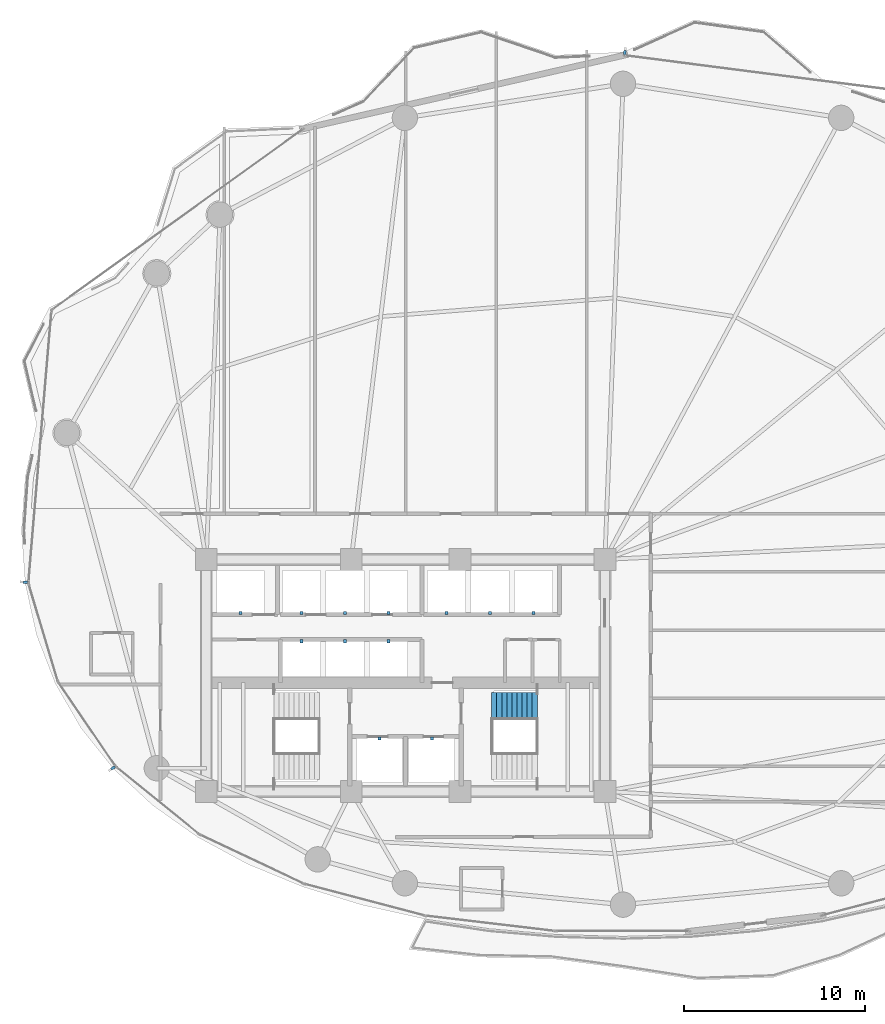
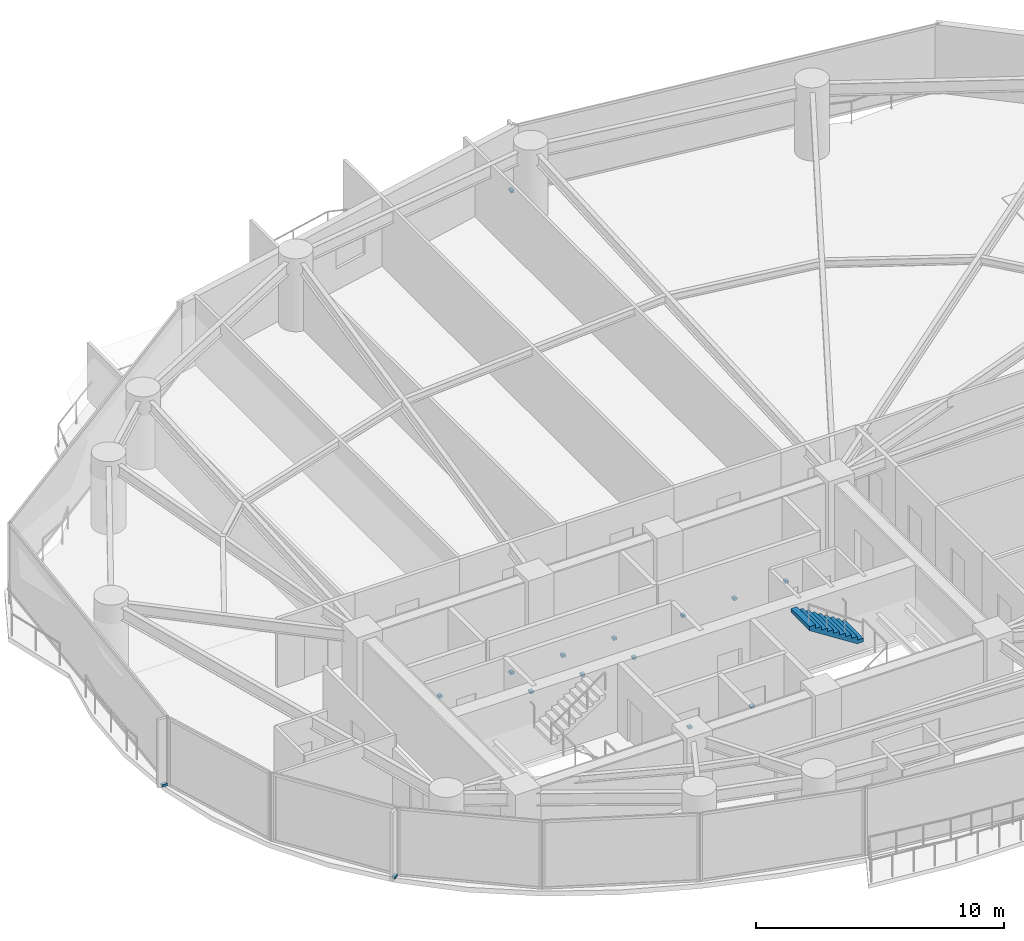
# One storey, part 27 of 30: 15 discrete accessories, 1 stair flight, 1 element without a shape of its own.
"""IFC4 building model written with IfcOpenShell, lengths in metres."""

from ifc_helpers import new_model, si_unit, direction, frame, origin, origin_2d, place, context, subcontext, project, spatial, polyline, rectangle, outline, extrude, material, layer, layer_set, type_object, element, aggregate, save


model = new_model("IFC4")

# Units and contexts
model_context = context("Model", 3, precision=1e-05, world=origin(), true_north=direction((0.0, 1.0)))
body_context = subcontext(model_context, "Body", "Model", "MODEL_VIEW")
ifc_project = project(units=[si_unit("LENGTHUNIT", "METRE"), si_unit("AREAUNIT", "SQUARE_METRE"), si_unit("VOLUMEUNIT", "CUBIC_METRE"), si_unit("PLANEANGLEUNIT", "RADIAN"), si_unit("MASSUNIT", "GRAM", prefix="KILO")], contexts=[model_context])

# Site, building, storey
site_placement = place(None, origin())
site = spatial("IfcSite", under=ifc_project, at=site_placement, CompositionType="ELEMENT")
building_placement = place(site_placement, origin())
building = spatial("IfcBuilding", under=site, at=building_placement, Name="Kazevale Care Tower and Concert Hall", CompositionType="ELEMENT")
storey_placement = place(building_placement, frame((0.0, 0.0, 70.800048828125)))
storey = spatial("IfcBuildingStorey", under=building, at=storey_placement, Name="L18", CompositionType="ELEMENT", Elevation=70.800048828125)

# Stair, stair flight
ifc_material_1 = material(Name="Concrete C40", Category="concrete")
stair_type = type_object("IfcStairType", Name="Exit Stair Assembly ST1-Z1", PredefinedType="HALF_TURN_STAIR", material=ifc_material_1)
stair_placement = place(storey_placement, origin())
stair = element("IfcStair", 1, at=stair_placement, inside=storey, type_object=stair_type, Name="stair:L18:ST2", PredefinedType="HALF_TURN_STAIR")
ifc_layer = layer(ifc_material_1, 0.159912109375)
ifc_layer_set = layer_set([ifc_layer], Name="Concrete C40")
stair_flight_type = type_object("IfcStairFlightType", Name="Exit Stair Flight ST1-Z1", PredefinedType="STRAIGHT", material=ifc_layer_set)
stair_flight_placement = place(storey_placement, frame((40.27001953125, 28.31005859375, 1.800048828125), z_axis=(0.0, 0.0, 1.0), x_axis=(-1.0, 0.0, 0.0)))
stair_flight = element("IfcStairFlight", 2, at=stair_flight_placement, type_object=stair_flight_type, Name="ST1-Z1 flight 2", NumberOfRisers=10, NumberOfTreads=9, PredefinedType="STRAIGHT", RiserHeight=0.18, TreadLength=0.28, context=body_context, shape_type="SweptSolid", body=[
    extrude(outline(polyline([(0.0, 0.0), (0.0, 0.179931640625), (0.280029296875, 0.179931640625), (0.280029296875, 0.360107421875), (0.56005859375, 0.360107421875), (0.56005859375, 0.5400390625), (0.840087890625, 0.5400390625), (0.840087890625, 0.719970703125), (1.1201171875, 0.719970703125), (1.1201171875, 0.89990234375), (1.39990234375, 0.89990234375), (1.39990234375, 1.080078125), (1.679931640625, 1.080078125), (1.679931640625, 1.260009765625), (1.9599609375, 1.260009765625), (1.9599609375, 1.43994140625), (2.239990234375, 1.43994140625), (2.239990234375, 1.6201171875), (2.52001953125, 1.6201171875), (2.52001953125, 1.800048828125), (2.52001953125, 1.429931640625), (0.295654296875, 0.0), (0.0, 0.0)])), frame((0.0, 0.739990234375, 0.0), z_axis=(0.0, -1.0, 0.0), x_axis=(1.0, 0.0, 0.0)), (0.0, 0.0, 1.0), 1.47998046875),
])
aggregate(stair, [stair_flight])

# Discrete accessories
ifc_material_2 = material(Name="Stainless Steel 316", Category="steel")
discrete_accessory_type_1 = type_object("IfcDiscreteAccessoryType", Name="Facade Fin Stainless Anchor Bracket BRK-1", PredefinedType="BRACKET", material=ifc_material_2)
for number, where, z_axis, x_axis, name in (
    (3, (16.85791015625, 24.894287109375, 0.0), (0.0, 0.0, 1.0), (-0.825999928064, -0.563670221706, 0.0), "cw:L18:f11:brk"),
    (4, (12.02099609375, 35.145263671875, 0.0), (0.0, 0.0, 1.0), (-0.99643419826, 0.084373506139, 0.0), "cw:L18:f13:brk"),
    (5, (45.09912109375, 64.370849609375, 0.0), (0.0, 0.0, 1.0), (0.127930151302, 0.99178318013, 0.0), "cw:L18:f16:brk"),
):
    element("IfcDiscreteAccessory", number, at=place(storey_placement, frame(where, z_axis=z_axis, x_axis=x_axis)), inside=storey, type_object=discrete_accessory_type_1, Name=name, PredefinedType="BRACKET", context=body_context, shape_type="SweptSolid", body=[
        extrude(rectangle(XDim=0.239990234375, YDim=0.139892578125, at=origin_2d()), origin(), (0.0, 0.0, 1.0), 0.1201171875),
    ])
discrete_accessory_type_2 = type_object("IfcDiscreteAccessoryType", Name="Hoistway Guide-Rail Wall Bracket HBRK-1", PredefinedType="BRACKET", material=ifc_material_2)
for number, where, z_axis, x_axis, name in (
    (6, (31.550048828125, 26.52001953125, 1.239990234375), (0.0, 0.0, 1.0), (1.0, 0.0, 0.0), "hbrk:FFL-1:L18"),
    (7, (34.449951171875, 26.52001953125, 1.239990234375), (0.0, 0.0, 1.0), (1.0, 0.0, 0.0), "hbrk:FFL-2:L18"),
    (8, (23.89990234375, 33.449951171875, 1.239990234375), (0.0, 0.0, 1.0), (1.0, 0.0, 0.0), "hbrk:SVL-1:L18"),
    (9, (27.25, 33.449951171875, 1.239990234375), (0.0, 0.0, 1.0), (1.0, 0.0, 0.0), "hbrk:PL-1:L18"),
    (10, (29.64990234375, 33.449951171875, 1.239990234375), (0.0, 0.0, 1.0), (1.0, 0.0, 0.0), "hbrk:PL-2:L18"),
    (11, (32.050048828125, 33.449951171875, 1.239990234375), (0.0, 0.0, 1.0), (1.0, 0.0, 0.0), "hbrk:PL-3:L18"),
    (12, (35.25, 33.449951171875, 1.239990234375), (0.0, 0.0, 1.0), (1.0, 0.0, 0.0), "hbrk:PM-1:L18"),
    (13, (37.64990234375, 33.449951171875, 1.239990234375), (0.0, 0.0, 1.0), (1.0, 0.0, 0.0), "hbrk:PM-2:L18"),
    (14, (40.050048828125, 33.449951171875, 1.239990234375), (0.0, 0.0, 1.0), (1.0, 0.0, 0.0), "hbrk:PM-3:L18"),
    (15, (27.25, 31.8798828125, 1.239990234375), (0.0, 0.0, 1.0), (1.0, 0.0, 0.0), "hbrk:PH-1:L18"),
    (16, (29.64990234375, 31.8798828125, 1.239990234375), (0.0, 0.0, 1.0), (1.0, 0.0, 0.0), "hbrk:PH-2:L18"),
    (17, (32.050048828125, 31.8798828125, 1.239990234375), (0.0, 0.0, 1.0), (1.0, 0.0, 0.0), "hbrk:PH-3:L18"),
):
    element("IfcDiscreteAccessory", number, at=place(storey_placement, frame(where, z_axis=z_axis, x_axis=x_axis)), inside=storey, type_object=discrete_accessory_type_2, Name=name, PredefinedType="BRACKET", context=body_context, shape_type="SweptSolid", body=[
        extrude(rectangle(XDim=0.159912109375, YDim=0.179931640625, at=origin_2d()), origin(), (0.0, 0.0, 1.0), 0.1201171875),
    ])

save(model, "model.ifc")
